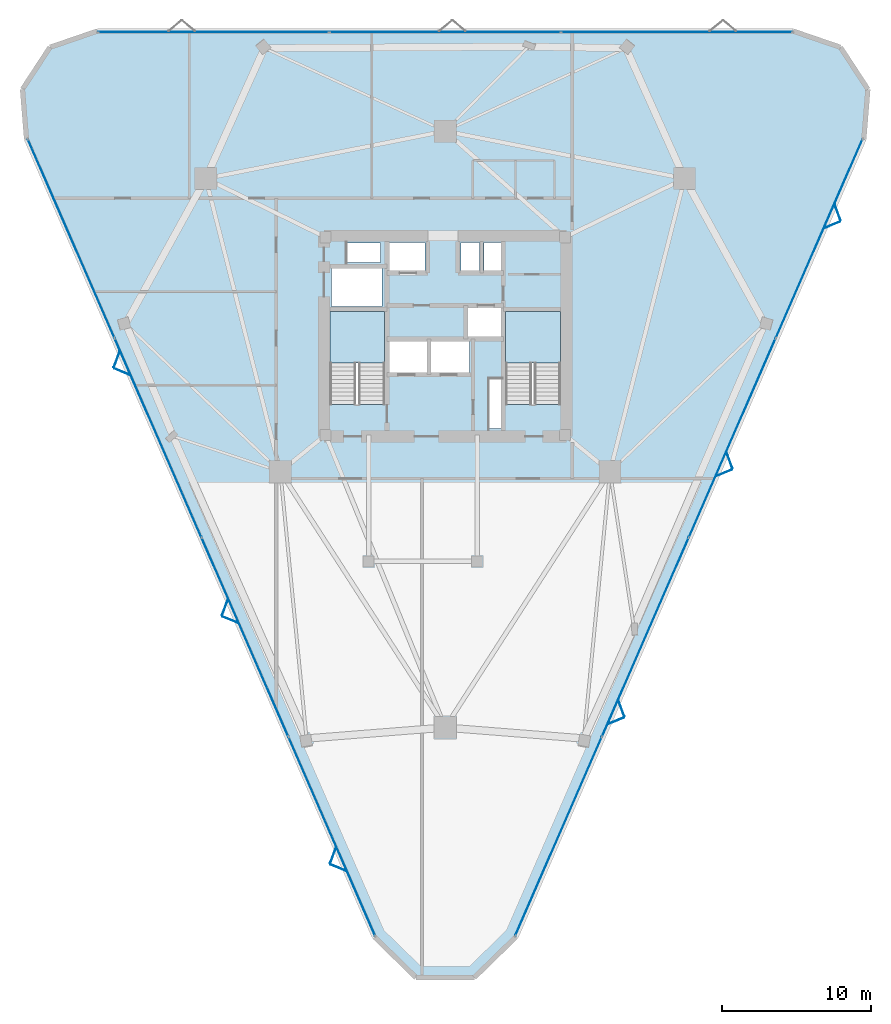
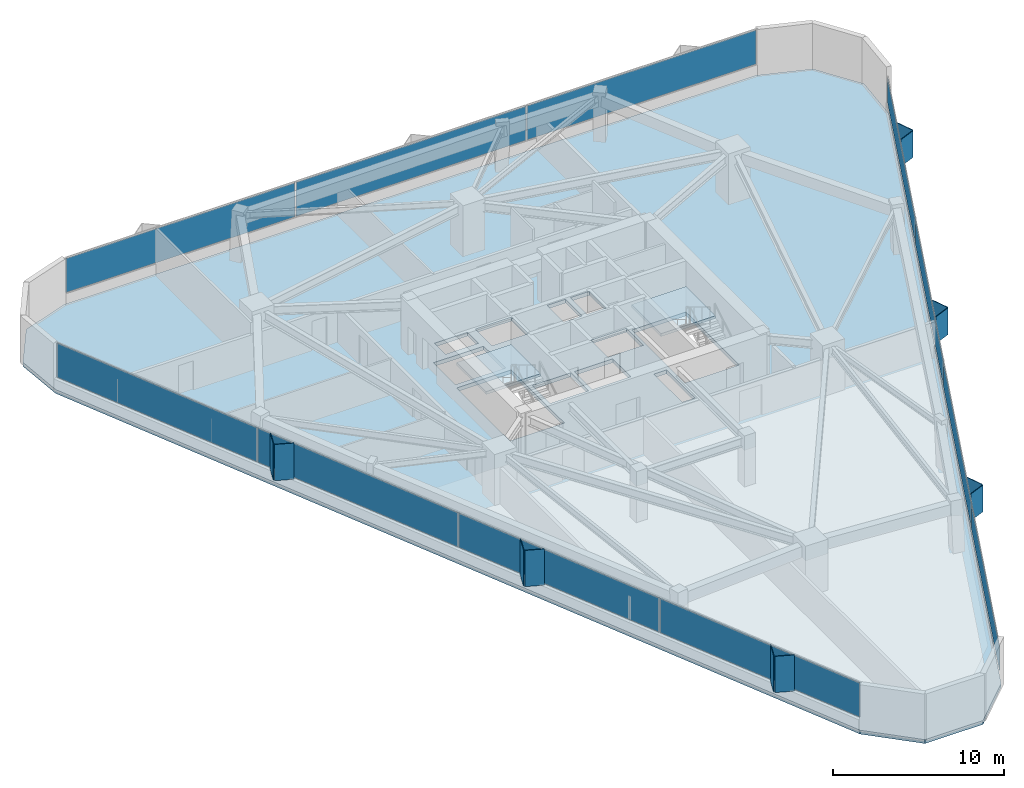
# One storey, part 8 of 13: 23 plates, 3 slabs, 5 elements without a shape of their own.
"""IFC4 building model written with IfcOpenShell, lengths in metres."""

from ifc_helpers import new_model, si_unit, direction, frame, origin, origin_2d, place, context, subcontext, project, spatial, polyline, rectangle, outline, extrude, material, layer, layer_set, type_object, element, aggregate, save


model = new_model("IFC4")

# Units and contexts
model_context = context("Model", 3, precision=1e-05, world=origin(), true_north=direction((0.0, 1.0)))
body_context = subcontext(model_context, "Body", "Model", "MODEL_VIEW")
ifc_project = project(units=[si_unit("LENGTHUNIT", "METRE"), si_unit("AREAUNIT", "SQUARE_METRE"), si_unit("VOLUMEUNIT", "CUBIC_METRE"), si_unit("PLANEANGLEUNIT", "RADIAN"), si_unit("MASSUNIT", "GRAM", prefix="KILO")], contexts=[model_context])

# Site, building, storey
site_placement = place(None, origin())
site = spatial("IfcSite", under=ifc_project, at=site_placement, CompositionType="ELEMENT")
building_placement = place(site_placement, origin())
building = spatial("IfcBuilding", under=site, at=building_placement, Name="Talyreon Biosciences Tower", CompositionType="ELEMENT")
storey_placement = place(building_placement, frame((0.0, 0.0, 145.449951171875)))
storey = spatial("IfcBuildingStorey", under=building, at=storey_placement, Name="L38", CompositionType="ELEMENT", Elevation=145.449951171875)

# Curtain wall, plates
ifc_material_1 = material(Name="Thermally broken aluminium and low-E glazing", Category="aluminium")
ifc_layer_1 = layer(ifc_material_1, 0.18505859375)
ifc_layer_set_1 = layer_set([ifc_layer_1], Name="Thermally broken aluminium and low-E glazing")
curtain_wall_type = type_object("IfcCurtainWallType", Name="CurtainWall_Zone3Bioprocess", PredefinedType="NOTDEFINED", material=ifc_layer_set_1)
curtain_wall_1_placement = place(storey_placement, origin())
curtain_wall_1 = element("IfcCurtainWall", 1, at=curtain_wall_1_placement, inside=storey, type_object=curtain_wall_type, Name="L38 Unitised Curtain Wall FCW-L38-00", PredefinedType="NOTDEFINED")
ifc_material_2 = material(Name="Triple-silver low-E insulated glazing", Category="glass")
ifc_layer_2 = layer(ifc_material_2, 0.031982421875)
ifc_layer_set_2 = layer_set([ifc_layer_2], Name="Triple-silver low-E insulated glazing")
plate_type_1 = type_object("IfcPlateType", Name="CWGlazingPanel_32", PredefinedType="CURTAIN_PANEL", material=ifc_layer_set_2)
plate_1_placement = place(storey_placement, frame((58.376220703125, 34.346923828125, 0.875), z_axis=(0.0, 0.0, 1.0), x_axis=(-0.399698003034, 0.916646882049, 0.0)))
plate_1 = element("IfcPlate", 2, at=plate_1_placement, type_object=plate_type_1, Name="CW4 panel 1.1", PredefinedType="CURTAIN_PANEL", context=body_context, shape_type="SweptSolid", body=[
    extrude(rectangle(XDim=14.53369140625, YDim=0.031982421875, at=origin_2d()), origin(), (0.0, 0.0, 1.0), 2.43505859375),
])
plate_2_placement = place(storey_placement, frame((52.53466796875, 47.74365234375, 0.875), z_axis=(0.0, 0.0, 1.0), x_axis=(-0.399698003034, 0.916646882049, 0.0)))
plate_2 = element("IfcPlate", 3, at=plate_2_placement, type_object=plate_type_1, Name="CW4 panel 2.1", PredefinedType="CURTAIN_PANEL", context=body_context, shape_type="SweptSolid", body=[
    extrude(rectangle(XDim=14.566162109375, YDim=0.031982421875, at=origin_2d()), origin(), (0.0, 0.0, 1.0), 2.43505859375),
])
plate_3_placement = place(storey_placement, frame((46.6865234375, 61.1552734375, 0.875), z_axis=(0.0, 0.0, 1.0), x_axis=(-0.399698003034, 0.916646882049, 0.0)))
plate_3 = element("IfcPlate", 4, at=plate_3_placement, type_object=plate_type_1, Name="CW4 panel 3.1", PredefinedType="CURTAIN_PANEL", context=body_context, shape_type="SweptSolid", body=[
    extrude(rectangle(XDim=14.566162109375, YDim=0.031982421875, at=origin_2d()), origin(), (0.0, 0.0, 1.0), 2.43505859375),
])
plate_4_placement = place(storey_placement, frame((40.844970703125, 74.55224609375, 0.875), z_axis=(0.0, 0.0, 1.0), x_axis=(-0.399698003034, 0.916646882049, 0.0)))
plate_4 = element("IfcPlate", 5, at=plate_4_placement, type_object=plate_type_1, Name="CW4 panel 4.1", PredefinedType="CURTAIN_PANEL", context=body_context, shape_type="SweptSolid", body=[
    extrude(rectangle(XDim=14.53369140625, YDim=0.031982421875, at=origin_2d()), origin(), (0.0, 0.0, 1.0), 2.43505859375),
])
aggregate(curtain_wall_1, [plate_1, plate_2, plate_3, plate_4])

curtain_wall_2_placement = place(storey_placement, origin())
curtain_wall_2 = element("IfcCurtainWall", 6, at=curtain_wall_2_placement, inside=storey, type_object=curtain_wall_type, Name="L38 Unitised Curtain Wall FCW-L38-04", PredefinedType="NOTDEFINED")
plate_5_placement = place(storey_placement, frame((50.42138671875, 88.439453125, 0.875), z_axis=(0.0, 0.0, 1.0), x_axis=(1.0, 0.0, 0.0)))
plate_5 = element("IfcPlate", 7, at=plate_5_placement, type_object=plate_type_1, Name="CW4 panel 1.1", PredefinedType="CURTAIN_PANEL", context=body_context, shape_type="SweptSolid", body=[
    extrude(rectangle(XDim=15.497314453125, YDim=0.031982421875, at=origin_2d()), origin(), (0.0, 0.0, 1.0), 2.43505859375),
])
plate_6_placement = place(storey_placement, frame((66.0, 88.439453125, 0.875), z_axis=(0.0, 0.0, 1.0), x_axis=(1.0, 0.0, 0.0)))
plate_6 = element("IfcPlate", 8, at=plate_6_placement, type_object=plate_type_1, Name="CW4 panel 2.1", PredefinedType="CURTAIN_PANEL", context=body_context, shape_type="SweptSolid", body=[
    extrude(rectangle(XDim=15.52978515625, YDim=0.031982421875, at=origin_2d()), origin(), (0.0, 0.0, 1.0), 2.43505859375),
])
plate_7_placement = place(storey_placement, frame((81.57861328125, 88.439453125, 0.875), z_axis=(0.0, 0.0, 1.0), x_axis=(1.0, 0.0, 0.0)))
plate_7 = element("IfcPlate", 9, at=plate_7_placement, type_object=plate_type_1, Name="CW4 panel 3.1", PredefinedType="CURTAIN_PANEL", context=body_context, shape_type="SweptSolid", body=[
    extrude(rectangle(XDim=15.497314453125, YDim=0.031982421875, at=origin_2d()), origin(), (0.0, 0.0, 1.0), 2.43505859375),
])
aggregate(curtain_wall_2, [plate_5, plate_6, plate_7])

curtain_wall_3_placement = place(storey_placement, origin())
curtain_wall_3 = element("IfcCurtainWall", 10, at=curtain_wall_3_placement, inside=storey, type_object=curtain_wall_type, Name="L38 Unitised Curtain Wall FCW-L38-08", PredefinedType="NOTDEFINED")
plate_8_placement = place(storey_placement, frame((91.155029296875, 74.55224609375, 0.875), z_axis=(0.0, 0.0, 1.0), x_axis=(-0.399698003034, -0.916646882049, 0.0)))
plate_8 = element("IfcPlate", 11, at=plate_8_placement, type_object=plate_type_1, Name="CW4 panel 1.1", PredefinedType="CURTAIN_PANEL", context=body_context, shape_type="SweptSolid", body=[
    extrude(rectangle(XDim=14.53369140625, YDim=0.031982421875, at=origin_2d()), origin(), (0.0, 0.0, 1.0), 1.760009765625),
])
plate_9_placement = place(storey_placement, frame((85.3134765625, 61.1552734375, 0.875), z_axis=(0.0, 0.0, 1.0), x_axis=(-0.399698003034, -0.916646882049, 0.0)))
plate_9 = element("IfcPlate", 12, at=plate_9_placement, type_object=plate_type_1, Name="CW4 panel 2.1", PredefinedType="CURTAIN_PANEL", context=body_context, shape_type="SweptSolid", body=[
    extrude(rectangle(XDim=14.566162109375, YDim=0.031982421875, at=origin_2d()), origin(), (0.0, 0.0, 1.0), 1.760009765625),
])
plate_10_placement = place(storey_placement, frame((79.46533203125, 47.74365234375, 0.875), z_axis=(0.0, 0.0, 1.0), x_axis=(-0.399698003034, -0.916646882049, 0.0)))
plate_10 = element("IfcPlate", 13, at=plate_10_placement, type_object=plate_type_1, Name="CW4 panel 3.1", PredefinedType="CURTAIN_PANEL", context=body_context, shape_type="SweptSolid", body=[
    extrude(rectangle(XDim=14.566162109375, YDim=0.031982421875, at=origin_2d()), origin(), (0.0, 0.0, 1.0), 1.760009765625),
])
plate_11_placement = place(storey_placement, frame((73.623779296875, 34.346923828125, 0.875), z_axis=(0.0, 0.0, 1.0), x_axis=(-0.399698003034, -0.916646882049, 0.0)))
plate_11 = element("IfcPlate", 14, at=plate_11_placement, type_object=plate_type_1, Name="CW4 panel 4.1", PredefinedType="CURTAIN_PANEL", context=body_context, shape_type="SweptSolid", body=[
    extrude(rectangle(XDim=14.53369140625, YDim=0.031982421875, at=origin_2d()), origin(), (0.0, 0.0, 1.0), 1.760009765625),
])
aggregate(curtain_wall_3, [plate_8, plate_9, plate_10, plate_11])

# Plates
ifc_material_3 = material(Name="Ivory GFRC sunshade panel", Category="concrete")
ifc_layer_3 = layer(ifc_material_3, 0.044921875)
ifc_layer_set_3 = layer_set([ifc_layer_3], Name="Ivory GFRC sunshade panel")
plate_type_2 = type_object("IfcPlateType", Name="FoldedVSunshade_SunFace_SUNSHADE", PredefinedType="USERDEFINED", material=ifc_layer_set_3)
for number, where, z_axis, x_axis, name in (
    (15, (58.81689453125, 32.235107421875, 0.7900390625), (0.0, 0.0, 1.0), (-0.92427310868, 0.381731869995, 0.0), "L38 Folded V-Sunshade Panel 00.01L"),
    (16, (58.457275390625, 33.060302734375, 0.7900390625), (0.0, 0.0, 1.0), (0.349242662946, 0.937032316614, 0.0), "L38 Folded V-Sunshade Panel 00.01R"),
    (17, (51.54248046875, 48.918212890625, 0.7900390625), (0.0, 0.0, 1.0), (-0.92427310868, 0.381731869995, 0.0), "L38 Folded V-Sunshade Panel 00.02L"),
    (18, (51.182861328125, 49.7431640625, 0.7900390625), (0.0, 0.0, 1.0), (0.349242662946, 0.937032316614, 0.0), "L38 Folded V-Sunshade Panel 00.02R"),
    (19, (44.26806640625, 65.601318359375, 0.7900390625), (0.0, 0.0, 1.0), (-0.92427310868, 0.381731869995, 0.0), "L38 Folded V-Sunshade Panel 00.03L"),
    (20, (43.908203125, 66.426025390625, 0.7900390625), (0.0, 0.0, 1.0), (0.349242662946, 0.937032316614, 0.0), "L38 Folded V-Sunshade Panel 00.03R"),
):
    element("IfcPlate", number, at=place(storey_placement, frame(where, z_axis=z_axis, x_axis=x_axis)), inside=storey, type_object=plate_type_2, Name=name, ObjectType="SUNSHADE", PredefinedType="USERDEFINED", context=body_context, shape_type="SweptSolid", body=[
        extrude(rectangle(XDim=1.14990234375, YDim=0.044921875, at=origin_2d()), origin(), (0.0, 0.0, 1.0), 2.5849609375),
    ])
for number, where, z_axis, x_axis, name in (
    (21, (92.402587890625, 76.31201171875, 0.7900390625), (0.0, 0.0, 1.0), (0.349242662946, -0.937032316614, 0.0), "L38 Folded V-Sunshade Panel 08.01L"),
    (22, (92.042724609375, 75.487060546875, 0.7900390625), (0.0, 0.0, 1.0), (-0.92427310868, -0.381731869995, 0.0), "L38 Folded V-Sunshade Panel 08.01R"),
    (23, (85.1279296875, 59.629150390625, 0.7900390625), (0.0, 0.0, 1.0), (0.349242662946, -0.937032316614, 0.0), "L38 Folded V-Sunshade Panel 08.02L"),
    (24, (84.768310546875, 58.80419921875, 0.7900390625), (0.0, 0.0, 1.0), (-0.92427310868, -0.381731869995, 0.0), "L38 Folded V-Sunshade Panel 08.02R"),
    (25, (77.853515625, 42.9462890625, 0.7900390625), (0.0, 0.0, 1.0), (0.349242662946, -0.937032316614, 0.0), "L38 Folded V-Sunshade Panel 08.03L"),
    (26, (77.49365234375, 42.12109375, 0.7900390625), (0.0, 0.0, 1.0), (-0.92427310868, -0.381731869995, 0.0), "L38 Folded V-Sunshade Panel 08.03R"),
):
    element("IfcPlate", number, at=place(storey_placement, frame(where, z_axis=z_axis, x_axis=x_axis)), inside=storey, type_object=plate_type_2, Name=name, ObjectType="SUNSHADE", PredefinedType="USERDEFINED", context=body_context, shape_type="SweptSolid", body=[
        extrude(rectangle(XDim=1.14990234375, YDim=0.044921875, at=origin_2d()), origin(), (0.0, 0.0, 1.0), 1.909912109375),
    ])

# Stair, slab
ifc_material_4 = material(Name="Concrete C40/50", Category="concrete")
stair_type = type_object("IfcStairType", Name="DoglegEscapeStair_3650", PredefinedType="HALF_TURN_STAIR", material=ifc_material_4)
stair_1_placement = place(storey_placement, origin())
stair_1 = element("IfcStair", 27, at=stair_1_placement, inside=storey, type_object=stair_type, Name="L38 Core Escape Stair 1", PredefinedType="HALF_TURN_STAIR")
ifc_layer_4 = layer(ifc_material_4, 0.199951171875)
ifc_layer_set_4 = layer_set([ifc_layer_4], Name="Concrete C40/50")
slab_type_1 = type_object("IfcSlabType", Name="StairLandingSlab_200", PredefinedType="LANDING", material=ifc_layer_set_4)
slab_1_placement = place(storey_placement, frame((0.0, 0.0, 1.625)))
slab_1 = element("IfcSlab", 28, at=slab_1_placement, type_object=slab_type_1, Name="ST-1 landing 1", PredefinedType="LANDING", context=body_context, shape_type="SweptSolid", body=[
    extrude(outline(polyline([(61.929931640625, 66.199951171875), (61.929931640625, 69.64990234375), (58.25, 69.64990234375), (58.25, 66.199951171875), (61.929931640625, 66.199951171875)])), origin(), (0.0, 0.0, 1.0), 0.199951171875),
])
aggregate(stair_1, [slab_1])

stair_2_placement = place(storey_placement, origin())
stair_2 = element("IfcStair", 29, at=stair_2_placement, inside=storey, type_object=stair_type, Name="L38 Core Escape Stair 2", PredefinedType="HALF_TURN_STAIR")
slab_2_placement = place(storey_placement, frame((0.0, 0.0, 1.625)))
slab_2 = element("IfcSlab", 30, at=slab_2_placement, type_object=slab_type_1, Name="ST-2 landing 1", PredefinedType="LANDING", context=body_context, shape_type="SweptSolid", body=[
    extrude(outline(polyline([(73.75, 66.199951171875), (73.75, 69.64990234375), (70.070068359375, 69.64990234375), (70.070068359375, 66.199951171875), (73.75, 66.199951171875)])), origin(), (0.0, 0.0, 1.0), 0.199951171875),
])
aggregate(stair_2, [slab_2])

# Slab
ifc_layer_5 = layer(ifc_material_4, 0.27490234375)
ifc_layer_set_5 = layer_set([ifc_layer_5], Name="Concrete C40/50")
slab_type_2 = type_object("IfcSlabType", Name="WetLabFloorSlab_275", PredefinedType="FLOOR", material=ifc_layer_set_5)
slab_3_placement = place(storey_placement, frame((0.0, 0.0, -0.27490234375)))
element("IfcSlab", 31, at=slab_3_placement, inside=storey, type_object=slab_type_2, Name="L38 Structural Floor Slab", PredefinedType="FLOOR", context=body_context, shape_type="SweptSolid", body=[
    extrude(outline(polyline([(61.2333984375, 27.59423828125), (37.841064453125, 81.240966796875), (37.568603515625, 84.603271484375), (39.416748046875, 87.42529296875), (42.607666015625, 88.519287109375), (89.392333984375, 88.519287109375), (92.583251953125, 87.42529296875), (94.431396484375, 84.603271484375), (94.158935546875, 81.240966796875), (70.7666015625, 27.59423828125), (67.960205078125, 24.856201171875), (64.039794921875, 24.856201171875), (61.2333984375, 27.59423828125)]), holes=[polyline([(61.929931640625, 69.64990234375), (61.929931640625, 63.407958984375), (58.25, 63.407958984375), (58.25, 69.64990234375), (61.929931640625, 69.64990234375)]), polyline([(64.800048828125, 67.64990234375), (64.800048828125, 65.550048828125), (62.199951171875, 65.550048828125), (62.199951171875, 67.64990234375), (64.800048828125, 67.64990234375)]), polyline([(67.64990234375, 67.64990234375), (67.64990234375, 65.550048828125), (65.050048828125, 65.550048828125), (65.050048828125, 67.64990234375), (67.64990234375, 67.64990234375)]), polyline([(61.75, 69.97998046875), (58.35009765625, 69.97998046875), (58.35009765625, 72.550048828125), (61.75, 72.550048828125), (61.75, 69.97998046875)]), polyline([(64.64990234375, 72.35009765625), (62.199951171875, 72.35009765625), (62.199951171875, 74.300048828125), (64.64990234375, 74.300048828125), (64.64990234375, 72.35009765625)]), polyline([(61.64990234375, 74.25), (61.64990234375, 72.9599609375), (59.39990234375, 72.9599609375), (59.39990234375, 74.25), (61.64990234375, 74.25)]), polyline([(69.820068359375, 61.800048828125), (68.9599609375, 61.800048828125), (68.9599609375, 65.10009765625), (69.820068359375, 65.10009765625), (69.820068359375, 61.800048828125)]), polyline([(73.75, 63.407958984375), (70.070068359375, 63.407958984375), (70.070068359375, 69.64990234375), (73.75, 69.64990234375), (73.75, 63.407958984375)]), polyline([(69.89990234375, 69.949951171875), (69.89990234375, 67.949951171875), (67.5, 67.949951171875), (67.5, 69.949951171875), (69.89990234375, 69.949951171875)]), polyline([(68.300048828125, 72.35009765625), (67.050048828125, 72.35009765625), (67.050048828125, 74.300048828125), (68.300048828125, 74.300048828125), (68.300048828125, 72.35009765625)]), polyline([(69.919921875, 72.35009765625), (68.6201171875, 72.35009765625), (68.6201171875, 74.300048828125), (69.919921875, 74.300048828125), (69.919921875, 72.35009765625)])]), origin(), (0.0, 0.0, 1.0), 0.27490234375),
])

save(model, "model.ifc")
